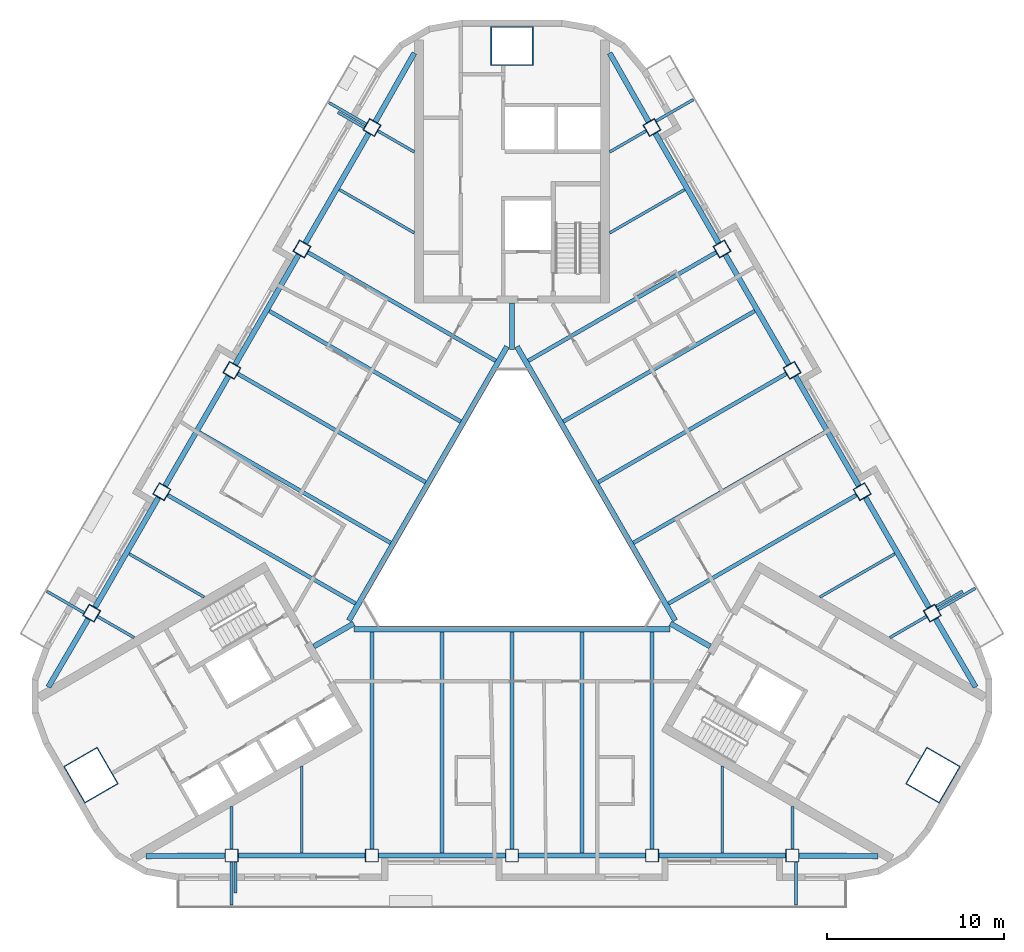
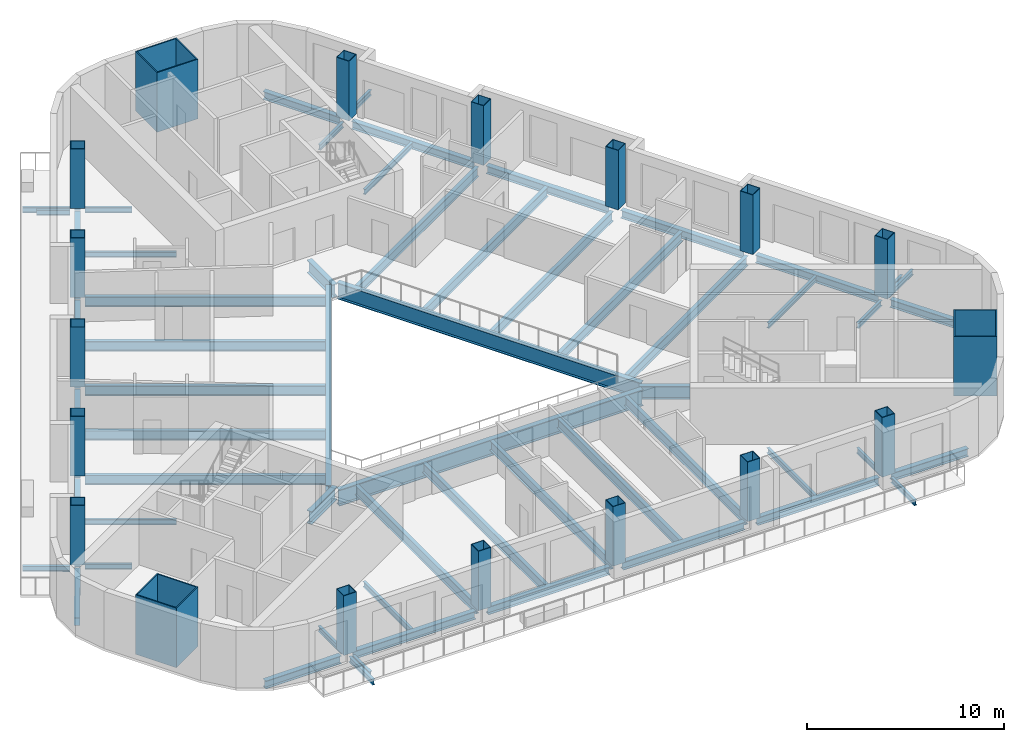
# One storey, part 1 of 13: 60 beams, 18 columns.
"""IFC4 building model written with IfcOpenShell, lengths in metres."""

import ifcopenshell
import ifcopenshell.guid

model = None  # the IFC model being written
_history = None  # IfcOwnerHistory: only IFC2X3 demands one
_inside = {}  # id of a spatial element -> (the spatial element, [elements in it])
_under = {}  # id of a project, library or spatial element -> (it, [spatial elements below it])
_declared = {}  # id of a project -> (the project, [libraries it declares])
_typed = {}  # id of a type object -> (the type object, [elements of that type])
_made_of = {}  # id of a material, layer set ... -> (it, [elements and type objects made of it])


def new_model(schema):
    """Start an empty IFC model of exactly this schema.

    Asked for "IFC4X3", IfcOpenShell would pick the latest addendum, in which some entities
    have other attributes; the version numbers below select the first issue.
    IFC2X3 requires an IfcOwnerHistory on every rooted entity: one is made here for all.
    """
    global model, _history
    if schema == "IFC4X3":
        model = ifcopenshell.file(schema_version=(4, 3, 0, 0))
    else:
        model = ifcopenshell.file(schema=schema)
    _inside.clear()
    _under.clear()
    _declared.clear()
    _typed.clear()
    _made_of.clear()
    _history = None
    if model.schema == "IFC2X3":
        org = make("IfcOrganization", Name="unknown")
        user = make(
            "IfcPersonAndOrganization",
            ThePerson=make("IfcPerson", FamilyName="unknown"),
            TheOrganization=org,
        )
        app = make(
            "IfcApplication",
            ApplicationDeveloper=org,
            Version="unknown",
            ApplicationFullName="unknown",
            ApplicationIdentifier="unknown",
        )
        _history = make(
            "IfcOwnerHistory",
            OwningUser=user,
            OwningApplication=app,
            ChangeAction="ADDED",
            CreationDate=0,
        )
    return model


def make(cls, **values):
    """One entity of the class cls with the attributes given. An attribute that is None is left unset."""
    return model.create_entity(
        cls, **{name: value for name, value in values.items() if value is not None}
    )


def rooted(cls, **values):
    """An entity with a GlobalId (a new one), such as an element, a storey or a relation."""
    return make(cls, GlobalId=ifcopenshell.guid.new(), OwnerHistory=_history, **values)


def si_unit(unit_type, name, prefix=None):
    """IfcSIUnit, for example si_unit("LENGTHUNIT", "METRE", prefix="MILLI")."""
    return make("IfcSIUnit", UnitType=unit_type, Prefix=prefix, Name=name)


def assignment(units):
    """IfcUnitAssignment: the units of a project."""
    return None if units is None else make("IfcUnitAssignment", Units=units)


def point(xyz):
    """IfcCartesianPoint."""
    return None if xyz is None else make("IfcCartesianPoint", Coordinates=xyz)


def direction(xyz):
    """IfcDirection."""
    return None if xyz is None else make("IfcDirection", DirectionRatios=xyz)


def frame(location, z_axis=None, x_axis=None):
    """IfcAxis2Placement3D, a coordinate frame: its origin and axes. An axis left out is left unset."""
    return make(
        "IfcAxis2Placement3D",
        Location=point(location),
        Axis=direction(z_axis),
        RefDirection=direction(x_axis),
    )


def frame_2d(location, x_axis=None):
    """IfcAxis2Placement2D, a coordinate frame in the plane: its origin and x axis."""
    return make(
        "IfcAxis2Placement2D", Location=point(location), RefDirection=direction(x_axis)
    )


def origin():
    """The frame at (0, 0, 0) with its axes left unset."""
    return frame((0.0, 0.0, 0.0))


def origin_2d():
    """The frame at (0, 0) in the plane with its x axis left unset."""
    return frame_2d((0.0, 0.0))


def place(relative_to, where):
    """IfcLocalPlacement: puts the frame where relative to a parent placement (None: the world)."""
    return make(
        "IfcLocalPlacement", PlacementRelTo=relative_to, RelativePlacement=where
    )


def context(
    kind, dimensions, precision=None, world=None, true_north=None, identifier=None
):
    """IfcGeometricRepresentationContext, for example the 3D "Model" context."""
    return make(
        "IfcGeometricRepresentationContext",
        ContextIdentifier=identifier,
        ContextType=kind,
        CoordinateSpaceDimension=dimensions,
        Precision=precision,
        WorldCoordinateSystem=world,
        TrueNorth=true_north,
    )


def subcontext(parent, identifier, kind, view, scale=None):
    """IfcGeometricRepresentationSubContext, for example "Body" below "Model"."""
    return make(
        "IfcGeometricRepresentationSubContext",
        ContextIdentifier=identifier,
        ContextType=kind,
        ParentContext=parent,
        TargetScale=scale,
        TargetView=view,
    )


def project(units=None, contexts=None):
    """IfcProject with its units and contexts."""
    return rooted(
        "IfcProject",
        Name="project",
        RepresentationContexts=contexts,
        UnitsInContext=assignment(units),
    )


def spatial(cls, under=None, at=None, **own):
    """A site, building, storey or space (cls), placed at a placement, below another one or the project."""
    s = rooted(cls, ObjectPlacement=at, **own)
    if under is not None:
        _under.setdefault(under.id(), (under, []))[1].append(s)
    return s


def profile(cls, at=None, kind="AREA", **sizes):
    """A parametric profile (cls). Its sizes go by their IFC names, for example OverallWidth=200.0."""
    return make(cls, ProfileType=kind, Position=at, **sizes)


def rectangle(**sizes):
    """IfcRectangleProfileDef."""
    return profile("IfcRectangleProfileDef", **sizes)


def hollow_rectangle(**sizes):
    """IfcRectangleHollowProfileDef."""
    return profile("IfcRectangleHollowProfileDef", **sizes)


def i_section(**sizes):
    """IfcIShapeProfileDef."""
    return profile("IfcIShapeProfileDef", **sizes)


def extrude(swept, where, along, depth):
    """IfcExtrudedAreaSolid: the profile swept, set in the frame where, extruded along a direction by depth."""
    return make(
        "IfcExtrudedAreaSolid",
        SweptArea=swept,
        Position=where,
        ExtrudedDirection=direction(along),
        Depth=depth,
    )


def shape(context_of_items, identifier, shape_type, items):
    """IfcShapeRepresentation: the items that make up one representation, for example the "Body"."""
    return make(
        "IfcShapeRepresentation",
        ContextOfItems=context_of_items,
        RepresentationIdentifier=identifier,
        RepresentationType=shape_type,
        Items=items,
    )


def material(Name=None, Category=None):
    """IfcMaterial."""
    return make("IfcMaterial", Name=Name, Category=Category)


def material_profile(
    of_material, cross_section, Name=None, Category=None, Priority=None
):
    """IfcMaterialProfile: a cross section and its material."""
    return make(
        "IfcMaterialProfile",
        Name=Name,
        Material=of_material,
        Profile=cross_section,
        Priority=Priority,
        Category=Category,
    )


def profile_set(profiles, Name=None, composite=None):
    """IfcMaterialProfileSet."""
    return make(
        "IfcMaterialProfileSet",
        Name=Name,
        MaterialProfiles=profiles,
        CompositeProfile=composite,
    )


def made_of(thing, what):
    """Note that an element or type object is made of a material, layer set ...; save() writes the relation."""
    if what is not None:
        _made_of.setdefault(what.id(), (what, []))[1].append(thing)
    return thing


def type_object(cls, material=None, **own):
    """A type object (cls), such as IfcWallType, which elements share."""
    return made_of(rooted(cls, **own), material)


def element(
    cls,
    number,
    at=None,
    inside=None,
    cuts=None,
    type_object=None,
    material=None,
    context=None,
    identifier="Body",
    shape_type=None,
    held_by="IfcProductDefinitionShape",
    body=None,
    shapes=None,
    **own,
):
    """One element of the class cls, such as IfcWall. Its Tag is "e" and its number.

    at: its placement. inside: the storey or other place that contains it. cuts: it is an
    opening in that element (IfcRelVoidsElement). A single representation is given by context,
    identifier, shape_type and body (its items); several are given by shapes. held_by: the class
    of the entity that holds the representations. save() writes the other relations.
    """
    e = rooted(cls, Tag="e%d" % number, ObjectPlacement=at, **own)
    if body is not None:
        shapes = [shape(context, identifier, shape_type, body)]
    if shapes is not None:
        e.Representation = make(held_by, Representations=shapes)
    if inside is not None:
        _inside.setdefault(inside.id(), (inside, []))[1].append(e)
    if cuts is not None:
        rooted(
            "IfcRelVoidsElement", RelatingBuildingElement=cuts, RelatedOpeningElement=e
        )
    if type_object is not None:
        _typed.setdefault(type_object.id(), (type_object, []))[1].append(e)
    return made_of(e, material)


def aggregate(whole, parts):
    """IfcRelAggregates: a whole, such as a stair, and the parts it consists of."""
    return rooted("IfcRelAggregates", RelatingObject=whole, RelatedObjects=parts)


def save(model, path):
    """Write the relations noted so far, then the file.

    IfcRelAggregates (storeys below a building ...), IfcRelContainedInSpatialStructure (elements
    in a storey), IfcRelDefinesByType, IfcRelAssociatesMaterial and IfcRelDeclares: one each for
    every whole, place, type object, material and project.
    """
    for whole, parts in _under.values():
        aggregate(whole, parts)
    for where, things in _inside.values():
        rooted(
            "IfcRelContainedInSpatialStructure",
            RelatedElements=things,
            RelatingStructure=where,
        )
    for kind, things in _typed.values():
        rooted("IfcRelDefinesByType", RelatedObjects=things, RelatingType=kind)
    for what, things in _made_of.values():
        rooted("IfcRelAssociatesMaterial", RelatedObjects=things, RelatingMaterial=what)
    for by, libraries in _declared.values():
        rooted("IfcRelDeclares", RelatingContext=by, RelatedDefinitions=libraries)
    model.write(path)


model = new_model("IFC4")

# Units and contexts
model_context = context("Model", 3, precision=1e-05, world=origin(), true_north=direction((0.0, 1.0)))
body_context = subcontext(model_context, "Body", "Model", "MODEL_VIEW")
ifc_project = project(units=[si_unit("LENGTHUNIT", "METRE"), si_unit("AREAUNIT", "SQUARE_METRE"), si_unit("VOLUMEUNIT", "CUBIC_METRE"), si_unit("PLANEANGLEUNIT", "RADIAN"), si_unit("MASSUNIT", "GRAM", prefix="KILO")], contexts=[model_context])

# Site, building, storey
site_placement = place(None, origin())
site = spatial("IfcSite", under=ifc_project, at=site_placement, CompositionType="ELEMENT")
building_placement = place(site_placement, origin())
building = spatial("IfcBuilding", under=site, at=building_placement, Name="Apuvela Tower Hotel", CompositionType="ELEMENT")
storey_placement = place(building_placement, frame((0.0, 0.0, 198.39990234375)))
storey = spatial("IfcBuildingStorey", under=building, at=storey_placement, Name="L48", CompositionType="ELEMENT", Elevation=198.39990234375)

# Columns
ifc_material_1 = material(Name="Steel S460", Category="steel")
ifc_material_profile_1 = material_profile(ifc_material_1, hollow_rectangle(XDim=2.39990234375, YDim=2.199951171875, WallThickness=0.06005859375, at=origin_2d()), Name="BOX 2400x2200x60")
ifc_material_2 = material(Name="Concrete C80/95", Category="concrete")
ifc_material_profile_2 = material_profile(ifc_material_2, rectangle(XDim=2.280029296875, YDim=2.080078125, at=origin_2d()), Name="Concrete C80/95 infill")
ifc_profile_set_1 = profile_set([ifc_material_profile_1, ifc_material_profile_2], Name="Steel S460")
column_type_1 = type_object("IfcColumnType", Name="STR-MC mega column BOX 2400x2200x60", PredefinedType="COLUMN", material=ifc_profile_set_1)
for number, where, z_axis, x_axis, name in (
    (1, (0.0, 27.39990234375, 0.0), (0.0, 0.0, 1.0), (1.0, 0.0, 0.0), "Mega column MC3 N"),
    (2, (-23.72900390625, -13.699951171875, 0.0), (0.0, 0.0, 1.0), (-0.5, 0.866025403784, 0.0), "Mega column MC3 SW"),
    (3, (23.72900390625, -13.699951171875, 0.0), (0.0, 0.0, 1.0), (0.5, 0.866025403784, 0.0), "Mega column MC3 SE"),
):
    element("IfcColumn", number, at=place(storey_placement, frame(where, z_axis=z_axis, x_axis=x_axis)), inside=storey, type_object=column_type_1, Name=name, PredefinedType="COLUMN", context=body_context, shape_type="SweptSolid", body=[
        extrude(hollow_rectangle(XDim=2.39990234375, YDim=2.199951171875, WallThickness=0.06005859375, at=origin_2d()), origin(), (0.0, 0.0, 1.0), 3.7001953125),
    ])
ifc_material_profile_3 = material_profile(ifc_material_1, hollow_rectangle(XDim=0.75, YDim=0.75, WallThickness=0.034912109375, at=origin_2d()), Name="BOX 750x750x35")
ifc_material_profile_4 = material_profile(ifc_material_2, rectangle(XDim=0.679931640625, YDim=0.679931640625, at=origin_2d()), Name="Concrete C80/95 infill")
ifc_profile_set_2 = profile_set([ifc_material_profile_3, ifc_material_profile_4], Name="Steel S460")
column_type_2 = type_object("IfcColumnType", Name="STR-PC perimeter column BOX 750x750x35", PredefinedType="COLUMN", material=ifc_profile_set_2)
for number, where, z_axis, x_axis, name in (
    (4, (-15.800048828125, -18.22998046875, 0.0), (0.0, 0.0, 1.0), (-1.0, 0.0, 0.0), "Perimeter column C5 S1"),
    (5, (-7.89990234375, -18.22998046875, 0.0), (0.0, 0.0, 1.0), (-1.0, 0.0, 0.0), "Perimeter column C5 S2"),
    (6, (0.0, -18.22998046875, 0.0), (0.0, 0.0, 1.0), (-1.0, 0.0, 0.0), "Perimeter column C5 S3"),
    (7, (7.89990234375, -18.22998046875, 0.0), (0.0, 0.0, 1.0), (-1.0, 0.0, 0.0), "Perimeter column C5 S4"),
    (8, (15.800048828125, -18.22998046875, 0.0), (0.0, 0.0, 1.0), (-1.0, 0.0, 0.0), "Perimeter column C5 S5"),
    (9, (23.6875, -4.568115234375, 0.0), (0.0, 0.0, 1.0), (-0.5, 0.866025403784, 0.0), "Perimeter column C5 NE1"),
    (10, (19.737548828125, 2.2734375, 0.0), (0.0, 0.0, 1.0), (-0.5, 0.866025403784, 0.0), "Perimeter column C5 NE2"),
    (11, (15.78759765625, 9.114990234375, 0.0), (0.0, 0.0, 1.0), (-0.5, 0.866025403784, 0.0), "Perimeter column C5 NE3"),
    (12, (11.837646484375, 15.95654296875, 0.0), (0.0, 0.0, 1.0), (-0.5, 0.866025403784, 0.0), "Perimeter column C5 NE4"),
    (13, (7.8876953125, 22.798095703125, 0.0), (0.0, 0.0, 1.0), (-0.5, 0.866025403784, 0.0), "Perimeter column C5 NE5"),
    (14, (-7.8876953125, 22.798095703125, 0.0), (0.0, 0.0, 1.0), (0.5, 0.866025403784, 0.0), "Perimeter column C5 NW1"),
    (15, (-11.837646484375, 15.95654296875, 0.0), (0.0, 0.0, 1.0), (0.5, 0.866025403784, 0.0), "Perimeter column C5 NW2"),
    (16, (-15.78759765625, 9.114990234375, 0.0), (0.0, 0.0, 1.0), (0.5, 0.866025403784, 0.0), "Perimeter column C5 NW3"),
    (17, (-19.737548828125, 2.2734375, 0.0), (0.0, 0.0, 1.0), (0.5, 0.866025403784, 0.0), "Perimeter column C5 NW4"),
    (18, (-23.6875, -4.568115234375, 0.0), (0.0, 0.0, 1.0), (0.5, 0.866025403784, 0.0), "Perimeter column C5 NW5"),
):
    element("IfcColumn", number, at=place(storey_placement, frame(where, z_axis=z_axis, x_axis=x_axis)), inside=storey, type_object=column_type_2, Name=name, PredefinedType="COLUMN", context=body_context, shape_type="SweptSolid", body=[
        extrude(hollow_rectangle(XDim=0.75, YDim=0.75, WallThickness=0.034912109375, at=origin_2d()), origin(), (0.0, 0.0, 1.0), 3.7001953125),
    ])

# Beams
ifc_material_3 = material(Name="Steel S355", Category="steel")
ifc_material_profile_5 = material_profile(ifc_material_3, i_section(OverallWidth=0.159912109375, OverallDepth=0.330078125, WebThickness=0.007568359375, FlangeThickness=0.011474609375, at=origin_2d()), Name="IPE 330")
ifc_profile_set_3 = profile_set([ifc_material_profile_5], Name="Steel S355")
beam_type_1 = type_object("IfcBeamType", Name="ENV-BALCONY-BEAM-IPE330", PredefinedType="BEAM", material=ifc_profile_set_3)
beam_1_placement = place(storey_placement, frame((-15.800048828125, -18.60498046875, -0.31494140625), z_axis=(0.0, -1.0, 0.0), x_axis=(1.0, 0.0, 0.0)))
element("IfcBeam", 19, at=beam_1_placement, inside=storey, type_object=beam_type_1, Name="Balcony cantilever beam S1 L48", PredefinedType="BEAM", context=body_context, shape_type="SweptSolid", body=[
    extrude(i_section(OverallWidth=0.159912109375, OverallDepth=0.330078125, WebThickness=0.007568359375, FlangeThickness=0.011474609375, at=origin_2d()), origin(), (0.0, 0.0, 1.0), 2.425048828125),
])
beam_2_placement = place(storey_placement, frame((-15.580078125, -18.60498046875, -0.31494140625), z_axis=(0.0, -1.0, 0.0), x_axis=(1.0, 0.0, 0.0)))
element("IfcBeam", 20, at=beam_2_placement, inside=storey, type_object=beam_type_1, Name="Balcony cantilever beam S2 L48", PredefinedType="BEAM", context=body_context, shape_type="SweptSolid", body=[
    extrude(i_section(OverallWidth=0.159912109375, OverallDepth=0.330078125, WebThickness=0.007568359375, FlangeThickness=0.011474609375, at=origin_2d()), origin(), (0.0, 0.0, 1.0), 1.72509765625),
])
for number, where, z_axis, x_axis, name in (
    (21, (16.0, -18.60498046875, -0.31494140625), (0.0, -1.0, 0.0), (1.0, 0.0, 0.0), "Balcony cantilever beam S3 L48"),
    (22, (24.012451171875, -4.380615234375, -0.31494140625), (0.866041403502, 0.499972286653, 0.0), (-0.499972286653, 0.866041403502, 0.0), "Balcony cantilever beam NE1 L48"),
):
    element("IfcBeam", number, at=place(storey_placement, frame(where, z_axis=z_axis, x_axis=x_axis)), inside=storey, type_object=beam_type_1, Name=name, PredefinedType="BEAM", context=body_context, shape_type="SweptSolid", body=[
        extrude(i_section(OverallWidth=0.159912109375, OverallDepth=0.330078125, WebThickness=0.007568359375, FlangeThickness=0.011474609375, at=origin_2d()), origin(), (0.0, 0.0, 1.0), 2.425048828125),
    ])
beam_3_placement = place(storey_placement, frame((23.90234375, -4.190185546875, -0.31494140625), z_axis=(0.866013532718, 0.500020560727, 0.0), x_axis=(-0.500020560727, 0.866013532718, 0.0)))
element("IfcBeam", 23, at=beam_3_placement, inside=storey, type_object=beam_type_1, Name="Balcony cantilever beam NE2 L48", PredefinedType="BEAM", context=body_context, shape_type="SweptSolid", body=[
    extrude(i_section(OverallWidth=0.159912109375, OverallDepth=0.330078125, WebThickness=0.007568359375, FlangeThickness=0.011474609375, at=origin_2d()), origin(), (0.0, 0.0, 1.0), 1.72509765625),
])
for number, where, z_axis, x_axis, name in (
    (24, (8.1123046875, 23.158935546875, -0.31494140625), (0.866041403502, 0.499972286653, 0.0), (-0.499972286653, 0.866041403502, 0.0), "Balcony cantilever beam NE3 L48"),
    (25, (-8.21240234375, 22.985595703125, -0.31494140625), (-0.865997808697, 0.500047793048, 0.0), (-0.500047793048, -0.865997808697, 0.0), "Balcony cantilever beam NW1 L48"),
):
    element("IfcBeam", number, at=place(storey_placement, frame(where, z_axis=z_axis, x_axis=x_axis)), inside=storey, type_object=beam_type_1, Name=name, PredefinedType="BEAM", context=body_context, shape_type="SweptSolid", body=[
        extrude(i_section(OverallWidth=0.159912109375, OverallDepth=0.330078125, WebThickness=0.007568359375, FlangeThickness=0.011474609375, at=origin_2d()), origin(), (0.0, 0.0, 1.0), 2.425048828125),
    ])
beam_4_placement = place(storey_placement, frame((-8.322509765625, 22.795166015625, -0.31494140625), z_axis=(-0.866013532718, 0.500020560727, 0.0), x_axis=(-0.500020560727, -0.866013532718, 0.0)))
element("IfcBeam", 26, at=beam_4_placement, inside=storey, type_object=beam_type_1, Name="Balcony cantilever beam NW2 L48", PredefinedType="BEAM", context=body_context, shape_type="SweptSolid", body=[
    extrude(i_section(OverallWidth=0.159912109375, OverallDepth=0.330078125, WebThickness=0.007568359375, FlangeThickness=0.011474609375, at=origin_2d()), origin(), (0.0, 0.0, 1.0), 1.72509765625),
])
beam_5_placement = place(storey_placement, frame((-24.1123046875, -4.553955078125, -0.31494140625), z_axis=(-0.865997808697, 0.500047793048, 0.0), x_axis=(-0.500047793048, -0.865997808697, 0.0)))
element("IfcBeam", 27, at=beam_5_placement, inside=storey, type_object=beam_type_1, Name="Balcony cantilever beam NW3 L48", PredefinedType="BEAM", context=body_context, shape_type="SweptSolid", body=[
    extrude(i_section(OverallWidth=0.159912109375, OverallDepth=0.330078125, WebThickness=0.007568359375, FlangeThickness=0.011474609375, at=origin_2d()), origin(), (0.0, 0.0, 1.0), 2.425048828125),
])
ifc_material_profile_6 = material_profile(ifc_material_3, i_section(OverallWidth=0.159912109375, OverallDepth=0.330078125, WebThickness=0.007568359375, FlangeThickness=0.011474609375, at=origin_2d()), Name="IPE 330")
ifc_profile_set_4 = profile_set([ifc_material_profile_6], Name="Steel S355")
beam_type_2 = type_object("IfcBeamType", Name="STR-B floor beam IPE 330", PredefinedType="BEAM", material=ifc_profile_set_4)
beam_6_placement = place(storey_placement, frame((23.36279296875, -4.755615234375, -0.31494140625), z_axis=(-0.865982457891, -0.500074377092, 0.0), x_axis=(0.500074377092, -0.865982457891, 0.0)))
element("IfcBeam", 28, at=beam_6_placement, inside=storey, type_object=beam_type_2, Name="Floor beam B1 NE1", PredefinedType="BEAM", context=body_context, shape_type="SweptSolid", body=[
    extrude(i_section(OverallWidth=0.159912109375, OverallDepth=0.330078125, WebThickness=0.007568359375, FlangeThickness=0.011474609375, at=origin_2d()), origin(), (0.0, 0.0, 1.0), 2.382080078125),
])
for number, where, z_axis, x_axis, name in (
    (29, (21.582763671875, -1.222412109375, -0.31494140625), (-0.866015056278, -0.500017921979, 0.0), (0.500017921979, -0.866015056278, 0.0), "Floor beam B1 NE2"),
    (30, (9.732666015625, 19.302490234375, -0.31494140625), (-0.866015056278, -0.500017921979, 0.0), (0.500017921979, -0.866015056278, 0.0), "Floor beam B1 NE8"),
):
    element("IfcBeam", number, at=place(storey_placement, frame(where, z_axis=z_axis, x_axis=x_axis)), inside=storey, type_object=beam_type_2, Name=name, PredefinedType="BEAM", context=body_context, shape_type="SweptSolid", body=[
        extrude(i_section(OverallWidth=0.159912109375, OverallDepth=0.330078125, WebThickness=0.007568359375, FlangeThickness=0.011474609375, at=origin_2d()), origin(), (0.0, 0.0, 1.0), 4.887451171875),
    ])
for number, where, z_axis, x_axis, name in (
    (31, (7.56298828125, 22.610595703125, -0.31494140625), (-0.866052464367, -0.499953126767, 0.0), (0.499953126767, -0.866052464367, 0.0), "Floor beam B1 NE9"),
    (32, (-7.56298828125, 22.610595703125, -0.31494140625), (0.866052464367, -0.499953126767, 0.0), (0.499953126767, 0.866052464367, 0.0), "Floor beam B1 NW1"),
):
    element("IfcBeam", number, at=place(storey_placement, frame(where, z_axis=z_axis, x_axis=x_axis)), inside=storey, type_object=beam_type_2, Name=name, PredefinedType="BEAM", context=body_context, shape_type="SweptSolid", body=[
        extrude(i_section(OverallWidth=0.159912109375, OverallDepth=0.330078125, WebThickness=0.007568359375, FlangeThickness=0.011474609375, at=origin_2d()), origin(), (0.0, 0.0, 1.0), 2.382080078125),
    ])
for number, where, z_axis, x_axis, name in (
    (33, (-9.732666015625, 19.302490234375, -0.31494140625), (0.866015056278, -0.500017921979, 0.0), (0.500017921979, 0.866015056278, 0.0), "Floor beam B1 NW2"),
    (34, (-21.582763671875, -1.222412109375, -0.31494140625), (0.866015056278, -0.500017921979, 0.0), (0.500017921979, 0.866015056278, 0.0), "Floor beam B1 NW8"),
):
    element("IfcBeam", number, at=place(storey_placement, frame(where, z_axis=z_axis, x_axis=x_axis)), inside=storey, type_object=beam_type_2, Name=name, PredefinedType="BEAM", context=body_context, shape_type="SweptSolid", body=[
        extrude(i_section(OverallWidth=0.159912109375, OverallDepth=0.330078125, WebThickness=0.007568359375, FlangeThickness=0.011474609375, at=origin_2d()), origin(), (0.0, 0.0, 1.0), 4.887451171875),
    ])
for number, where, z_axis, x_axis, name in (
    (35, (-23.36279296875, -4.755615234375, -0.31494140625), (0.865982457891, -0.500074377092, 0.0), (0.500074377092, 0.865982457891, 0.0), "Floor beam B1 NW9"),
    (36, (-15.800048828125, -17.85498046875, -0.31494140625), (0.0, 1.0, 0.0), (-1.0, 0.0, 0.0), "Floor beam B1 S1"),
):
    element("IfcBeam", number, at=place(storey_placement, frame(where, z_axis=z_axis, x_axis=x_axis)), inside=storey, type_object=beam_type_2, Name=name, PredefinedType="BEAM", context=body_context, shape_type="SweptSolid", body=[
        extrude(i_section(OverallWidth=0.159912109375, OverallDepth=0.330078125, WebThickness=0.007568359375, FlangeThickness=0.011474609375, at=origin_2d()), origin(), (0.0, 0.0, 1.0), 2.382080078125),
    ])
for number, where, z_axis, x_axis, name in (
    (37, (-11.85009765625, -18.080078125, -0.31494140625), (0.0, 1.0, 0.0), (-1.0, 0.0, 0.0), "Floor beam B1 S2"),
    (38, (11.85009765625, -18.080078125, -0.31494140625), (0.0, 1.0, 0.0), (-1.0, 0.0, 0.0), "Floor beam B1 S8"),
):
    element("IfcBeam", number, at=place(storey_placement, frame(where, z_axis=z_axis, x_axis=x_axis)), inside=storey, type_object=beam_type_2, Name=name, PredefinedType="BEAM", context=body_context, shape_type="SweptSolid", body=[
        extrude(i_section(OverallWidth=0.159912109375, OverallDepth=0.330078125, WebThickness=0.007568359375, FlangeThickness=0.011474609375, at=origin_2d()), origin(), (0.0, 0.0, 1.0), 4.8876953125),
    ])
beam_7_placement = place(storey_placement, frame((15.800048828125, -17.85498046875, -0.31494140625), z_axis=(0.0, 1.0, 0.0), x_axis=(-1.0, 0.0, 0.0)))
element("IfcBeam", 39, at=beam_7_placement, inside=storey, type_object=beam_type_2, Name="Floor beam B1 S9", PredefinedType="BEAM", context=body_context, shape_type="SweptSolid", body=[
    extrude(i_section(OverallWidth=0.159912109375, OverallDepth=0.330078125, WebThickness=0.007568359375, FlangeThickness=0.011474609375, at=origin_2d()), origin(), (0.0, 0.0, 1.0), 2.382080078125),
])
ifc_material_profile_7 = material_profile(ifc_material_3, i_section(OverallWidth=0.219970703125, OverallDepth=0.60009765625, WebThickness=0.011962890625, FlangeThickness=0.01904296875, at=origin_2d()), Name="IPE 600")
ifc_profile_set_5 = profile_set([ifc_material_profile_7], Name="Steel S355")
beam_type_3 = type_object("IfcBeamType", Name="STR-B floor beam IPE 600", PredefinedType="BEAM", material=ifc_profile_set_5)
beam_8_placement = place(storey_placement, frame((19.412841796875, 2.0859375, -0.449951171875), z_axis=(-0.866025418325, -0.499999974815, 0.0), x_axis=(0.499999974815, -0.866025418325, 0.0)))
element("IfcBeam", 40, at=beam_8_placement, inside=storey, type_object=beam_type_3, Name="Floor beam B8 NE3", PredefinedType="BEAM", context=body_context, shape_type="SweptSolid", body=[
    extrude(i_section(OverallWidth=0.219970703125, OverallDepth=0.60009765625, WebThickness=0.011962890625, FlangeThickness=0.01904296875, at=origin_2d()), origin(), (0.0, 0.0, 1.0), 12.23486328125),
])
beam_9_placement = place(storey_placement, frame((17.6328125, 5.619140625, -0.449951171875), z_axis=(-0.866027987673, -0.499995524547, 0.0), x_axis=(0.499995524547, -0.866027987673, 0.0)))
element("IfcBeam", 41, at=beam_9_placement, inside=storey, type_object=beam_type_3, Name="Floor beam B8 NE4", PredefinedType="BEAM", context=body_context, shape_type="SweptSolid", body=[
    extrude(i_section(OverallWidth=0.219970703125, OverallDepth=0.60009765625, WebThickness=0.011962890625, FlangeThickness=0.01904296875, at=origin_2d()), origin(), (0.0, 0.0, 1.0), 12.4599609375),
])
beam_10_placement = place(storey_placement, frame((15.462890625, 8.927490234375, -0.449951171875), z_axis=(-0.866025418325, -0.499999974815, 0.0), x_axis=(0.499999974815, -0.866025418325, 0.0)))
element("IfcBeam", 42, at=beam_10_placement, inside=storey, type_object=beam_type_3, Name="Floor beam B8 NE5", PredefinedType="BEAM", context=body_context, shape_type="SweptSolid", body=[
    extrude(i_section(OverallWidth=0.219970703125, OverallDepth=0.60009765625, WebThickness=0.011962890625, FlangeThickness=0.01904296875, at=origin_2d()), origin(), (0.0, 0.0, 1.0), 12.23486328125),
])
beam_11_placement = place(storey_placement, frame((13.6826171875, 12.460693359375, -0.449951171875), z_axis=(-0.866023089177, -0.500004008996, 0.0), x_axis=(0.500004008996, -0.866023089177, 0.0)))
element("IfcBeam", 43, at=beam_11_placement, inside=storey, type_object=beam_type_3, Name="Floor beam B8 NE6", PredefinedType="BEAM", context=body_context, shape_type="SweptSolid", body=[
    extrude(i_section(OverallWidth=0.219970703125, OverallDepth=0.60009765625, WebThickness=0.011962890625, FlangeThickness=0.01904296875, at=origin_2d()), origin(), (0.0, 0.0, 1.0), 12.4599609375),
])
for number, where, z_axis, x_axis, name in (
    (44, (11.512939453125, 15.76904296875, -0.449951171875), (-0.866030406821, -0.499991334387, 0.0), (0.499991334387, -0.866030406821, 0.0), "Floor beam B8 NE7"),
    (45, (-11.512939453125, 15.76904296875, -0.449951171875), (0.866030406821, -0.499991334387, 0.0), (0.499991334387, 0.866030406821, 0.0), "Floor beam B8 NW3"),
):
    element("IfcBeam", number, at=place(storey_placement, frame(where, z_axis=z_axis, x_axis=x_axis)), inside=storey, type_object=beam_type_3, Name=name, PredefinedType="BEAM", context=body_context, shape_type="SweptSolid", body=[
        extrude(i_section(OverallWidth=0.219970703125, OverallDepth=0.60009765625, WebThickness=0.011962890625, FlangeThickness=0.01904296875, at=origin_2d()), origin(), (0.0, 0.0, 1.0), 12.235107421875),
    ])
beam_12_placement = place(storey_placement, frame((-13.6826171875, 12.460693359375, -0.449951171875), z_axis=(0.866023089177, -0.500004008996, 0.0), x_axis=(0.500004008996, 0.866023089177, 0.0)))
element("IfcBeam", 46, at=beam_12_placement, inside=storey, type_object=beam_type_3, Name="Floor beam B8 NW4", PredefinedType="BEAM", context=body_context, shape_type="SweptSolid", body=[
    extrude(i_section(OverallWidth=0.219970703125, OverallDepth=0.60009765625, WebThickness=0.011962890625, FlangeThickness=0.01904296875, at=origin_2d()), origin(), (0.0, 0.0, 1.0), 12.4599609375),
])
beam_13_placement = place(storey_placement, frame((-15.462890625, 8.927490234375, -0.449951171875), z_axis=(0.866025418325, -0.499999974815, 0.0), x_axis=(0.499999974815, 0.866025418325, 0.0)))
element("IfcBeam", 47, at=beam_13_placement, inside=storey, type_object=beam_type_3, Name="Floor beam B8 NW5", PredefinedType="BEAM", context=body_context, shape_type="SweptSolid", body=[
    extrude(i_section(OverallWidth=0.219970703125, OverallDepth=0.60009765625, WebThickness=0.011962890625, FlangeThickness=0.01904296875, at=origin_2d()), origin(), (0.0, 0.0, 1.0), 12.23486328125),
])
beam_14_placement = place(storey_placement, frame((-17.6328125, 5.619140625, -0.449951171875), z_axis=(0.866027987673, -0.499995524547, 0.0), x_axis=(0.499995524547, 0.866027987673, 0.0)))
element("IfcBeam", 48, at=beam_14_placement, inside=storey, type_object=beam_type_3, Name="Floor beam B8 NW6", PredefinedType="BEAM", context=body_context, shape_type="SweptSolid", body=[
    extrude(i_section(OverallWidth=0.219970703125, OverallDepth=0.60009765625, WebThickness=0.011962890625, FlangeThickness=0.01904296875, at=origin_2d()), origin(), (0.0, 0.0, 1.0), 12.4599609375),
])
for number, where, z_axis, x_axis, name in (
    (49, (-19.412841796875, 2.0859375, -0.449951171875), (0.866025418325, -0.499999974815, 0.0), (0.499999974815, 0.866025418325, 0.0), "Floor beam B8 NW7"),
    (50, (-7.89990234375, -17.85498046875, -0.449951171875), (0.0, 1.0, 0.0), (-1.0, 0.0, 0.0), "Floor beam B8 S3"),
):
    element("IfcBeam", number, at=place(storey_placement, frame(where, z_axis=z_axis, x_axis=x_axis)), inside=storey, type_object=beam_type_3, Name=name, PredefinedType="BEAM", context=body_context, shape_type="SweptSolid", body=[
        extrude(i_section(OverallWidth=0.219970703125, OverallDepth=0.60009765625, WebThickness=0.011962890625, FlangeThickness=0.01904296875, at=origin_2d()), origin(), (0.0, 0.0, 1.0), 12.23486328125),
    ])
beam_15_placement = place(storey_placement, frame((-3.949951171875, -18.080078125, -0.449951171875), z_axis=(0.0, 1.0, 0.0), x_axis=(-1.0, 0.0, 0.0)))
element("IfcBeam", 51, at=beam_15_placement, inside=storey, type_object=beam_type_3, Name="Floor beam B8 S4", PredefinedType="BEAM", context=body_context, shape_type="SweptSolid", body=[
    extrude(i_section(OverallWidth=0.219970703125, OverallDepth=0.60009765625, WebThickness=0.011962890625, FlangeThickness=0.01904296875, at=origin_2d()), origin(), (0.0, 0.0, 1.0), 12.4599609375),
])
beam_16_placement = place(storey_placement, frame((0.0, -17.85498046875, -0.449951171875), z_axis=(0.0, 1.0, 0.0), x_axis=(-1.0, 0.0, 0.0)))
element("IfcBeam", 52, at=beam_16_placement, inside=storey, type_object=beam_type_3, Name="Floor beam B8 S5", PredefinedType="BEAM", context=body_context, shape_type="SweptSolid", body=[
    extrude(i_section(OverallWidth=0.219970703125, OverallDepth=0.60009765625, WebThickness=0.011962890625, FlangeThickness=0.01904296875, at=origin_2d()), origin(), (0.0, 0.0, 1.0), 12.23486328125),
])
beam_17_placement = place(storey_placement, frame((3.949951171875, -18.080078125, -0.449951171875), z_axis=(0.0, 1.0, 0.0), x_axis=(-1.0, 0.0, 0.0)))
element("IfcBeam", 53, at=beam_17_placement, inside=storey, type_object=beam_type_3, Name="Floor beam B8 S6", PredefinedType="BEAM", context=body_context, shape_type="SweptSolid", body=[
    extrude(i_section(OverallWidth=0.219970703125, OverallDepth=0.60009765625, WebThickness=0.011962890625, FlangeThickness=0.01904296875, at=origin_2d()), origin(), (0.0, 0.0, 1.0), 12.4599609375),
])
beam_18_placement = place(storey_placement, frame((7.89990234375, -17.85498046875, -0.449951171875), z_axis=(0.0, 1.0, 0.0), x_axis=(-1.0, 0.0, 0.0)))
element("IfcBeam", 54, at=beam_18_placement, inside=storey, type_object=beam_type_3, Name="Floor beam B8 S7", PredefinedType="BEAM", context=body_context, shape_type="SweptSolid", body=[
    extrude(i_section(OverallWidth=0.219970703125, OverallDepth=0.60009765625, WebThickness=0.011962890625, FlangeThickness=0.01904296875, at=origin_2d()), origin(), (0.0, 0.0, 1.0), 12.23486328125),
])
ifc_material_profile_8 = material_profile(ifc_material_3, i_section(OverallWidth=0.300048828125, OverallDepth=1.0, WebThickness=0.01904296875, FlangeThickness=0.035888671875, at=origin_2d()), Name="HE 1000 B")
ifc_profile_set_6 = profile_set([ifc_material_profile_8], Name="Steel S355")
beam_type_4 = type_object("IfcBeamType", Name="STR-G atrium ring girder HE 1000 B", PredefinedType="BEAM", material=ifc_profile_set_6)
beam_19_placement = place(storey_placement, frame((-0.27978515625, 10.455078125, -0.64990234375), z_axis=(-0.500006541319, -0.866021627119, 0.0), x_axis=(0.866021627119, -0.500006541319, 0.0)))
element("IfcBeam", 55, at=beam_19_placement, inside=storey, type_object=beam_type_4, Name="Atrium ring girder G2 N-SW", PredefinedType="BEAM", context=body_context, shape_type="SweptSolid", body=[
    extrude(i_section(OverallWidth=0.300048828125, OverallDepth=1.0, WebThickness=0.01904296875, FlangeThickness=0.035888671875, at=origin_2d()), origin(), (0.0, 0.0, 1.0), 17.828857421875),
])
beam_20_placement = place(storey_placement, frame((-8.91455078125, -5.469970703125, -0.64990234375), z_axis=(1.0, 0.0, 0.0), x_axis=(0.0, 1.0, 0.0)))
element("IfcBeam", 56, at=beam_20_placement, inside=storey, type_object=beam_type_4, Name="Atrium ring girder G2 SW-SE", PredefinedType="BEAM", context=body_context, shape_type="SweptSolid", body=[
    extrude(i_section(OverallWidth=0.300048828125, OverallDepth=1.0, WebThickness=0.01904296875, FlangeThickness=0.035888671875, at=origin_2d()), origin(), (0.0, 0.0, 1.0), 17.8291015625),
])
beam_21_placement = place(storey_placement, frame((9.1943359375, -4.985107421875, -0.64990234375), z_axis=(-0.500006541319, 0.866021627119, 0.0), x_axis=(-0.866021627119, -0.500006541319, 0.0)))
element("IfcBeam", 57, at=beam_21_placement, inside=storey, type_object=beam_type_4, Name="Atrium ring girder G2 SE-N", PredefinedType="BEAM", context=body_context, shape_type="SweptSolid", body=[
    extrude(i_section(OverallWidth=0.300048828125, OverallDepth=1.0, WebThickness=0.01904296875, FlangeThickness=0.035888671875, at=origin_2d()), origin(), (0.0, 0.0, 1.0), 17.828857421875),
])
ifc_material_profile_9 = material_profile(ifc_material_3, i_section(OverallWidth=0.300048828125, OverallDepth=0.800048828125, WebThickness=0.017578125, FlangeThickness=0.032958984375, at=origin_2d()), Name="HE 800 B")
ifc_profile_set_7 = profile_set([ifc_material_profile_9], Name="Steel S355")
beam_type_5 = type_object("IfcBeamType", Name="STR-GT core tie beam HE 800 B", PredefinedType="BEAM", material=ifc_profile_set_7)
for number, where, z_axis, x_axis, name in (
    (58, (0.0, 12.89990234375, -0.5498046875), (0.0, -1.0, 0.0), (1.0, 0.0, 0.0), "Core tie beam GT1 N"),
    (59, (-11.171630859375, -6.449951171875, -0.5498046875), (0.865997922154, 0.500047596559, 0.0), (-0.500047596559, 0.865997922154, 0.0), "Core tie beam GT1 SW"),
    (60, (11.171630859375, -6.449951171875, -0.5498046875), (-0.865997922154, 0.500047596559, 0.0), (-0.500047596559, -0.865997922154, 0.0), "Core tie beam GT1 SE"),
):
    element("IfcBeam", number, at=place(storey_placement, frame(where, z_axis=z_axis, x_axis=x_axis)), inside=storey, type_object=beam_type_5, Name=name, PredefinedType="BEAM", context=body_context, shape_type="SweptSolid", body=[
        extrude(i_section(OverallWidth=0.300048828125, OverallDepth=0.800048828125, WebThickness=0.017578125, FlangeThickness=0.032958984375, at=origin_2d()), origin(), (0.0, 0.0, 1.0), 2.599853515625),
    ])
ifc_material_profile_10 = material_profile(ifc_material_3, i_section(OverallWidth=0.300048828125, OverallDepth=0.489990234375, WebThickness=0.011962890625, FlangeThickness=0.02294921875, at=origin_2d()), Name="HE 500 A")
ifc_profile_set_8 = profile_set([ifc_material_profile_10], Name="Steel S355")
beam_type_6 = type_object("IfcBeamType", Name="STR-SB spandrel beam HE 500 A", PredefinedType="SPANDREL", material=ifc_profile_set_8)
beam_22_placement = place(storey_placement, frame((-15.425048828125, -18.22998046875, -0.39501953125), z_axis=(1.0, 0.0, 0.0), x_axis=(0.0, 1.0, 0.0)))
element("IfcBeam", 61, at=beam_22_placement, inside=storey, type_object=beam_type_6, Name="Spandrel beam SB3 S1", PredefinedType="SPANDREL", context=body_context, shape_type="SweptSolid", body=[
    extrude(i_section(OverallWidth=0.300048828125, OverallDepth=0.489990234375, WebThickness=0.011962890625, FlangeThickness=0.02294921875, at=origin_2d()), origin(), (0.0, 0.0, 1.0), 7.150146484375),
])
for number, where, z_axis, x_axis, name in (
    (62, (-7.52490234375, -18.22998046875, -0.39501953125), (1.0, 0.0, 0.0), (0.0, 1.0, 0.0), "Spandrel beam SB3 S2"),
    (63, (0.375, -18.22998046875, -0.39501953125), (1.0, 0.0, 0.0), (0.0, 1.0, 0.0), "Spandrel beam SB3 S3"),
):
    element("IfcBeam", number, at=place(storey_placement, frame(where, z_axis=z_axis, x_axis=x_axis)), inside=storey, type_object=beam_type_6, Name=name, PredefinedType="SPANDREL", context=body_context, shape_type="SweptSolid", body=[
        extrude(i_section(OverallWidth=0.300048828125, OverallDepth=0.489990234375, WebThickness=0.011962890625, FlangeThickness=0.02294921875, at=origin_2d()), origin(), (0.0, 0.0, 1.0), 7.14990234375),
    ])
beam_23_placement = place(storey_placement, frame((8.27490234375, -18.22998046875, -0.39501953125), z_axis=(1.0, 0.0, 0.0), x_axis=(0.0, 1.0, 0.0)))
element("IfcBeam", 64, at=beam_23_placement, inside=storey, type_object=beam_type_6, Name="Spandrel beam SB3 S4", PredefinedType="SPANDREL", context=body_context, shape_type="SweptSolid", body=[
    extrude(i_section(OverallWidth=0.300048828125, OverallDepth=0.489990234375, WebThickness=0.011962890625, FlangeThickness=0.02294921875, at=origin_2d()), origin(), (0.0, 0.0, 1.0), 7.150146484375),
])
beam_24_placement = place(storey_placement, frame((23.5, -4.243408203125, -0.39501953125), z_axis=(-0.500006209673, 0.866021818598, 0.0), x_axis=(-0.866021818598, -0.500006209673, 0.0)))
element("IfcBeam", 65, at=beam_24_placement, inside=storey, type_object=beam_type_6, Name="Spandrel beam SB3 NE1", PredefinedType="SPANDREL", context=body_context, shape_type="SweptSolid", body=[
    extrude(i_section(OverallWidth=0.300048828125, OverallDepth=0.489990234375, WebThickness=0.011962890625, FlangeThickness=0.02294921875, at=origin_2d()), origin(), (0.0, 0.0, 1.0), 7.14990234375),
])
for number, where, z_axis, x_axis, name in (
    (66, (19.550048828125, 2.59814453125, -0.39501953125), (-0.499991424076, 0.86603035504, 0.0), (-0.86603035504, -0.499991424076, 0.0), "Spandrel beam SB3 NE2"),
    (67, (15.60009765625, 9.439697265625, -0.39501953125), (-0.499991424076, 0.86603035504, 0.0), (-0.86603035504, -0.499991424076, 0.0), "Spandrel beam SB3 NE3"),
):
    element("IfcBeam", number, at=place(storey_placement, frame(where, z_axis=z_axis, x_axis=x_axis)), inside=storey, type_object=beam_type_6, Name=name, PredefinedType="SPANDREL", context=body_context, shape_type="SweptSolid", body=[
        extrude(i_section(OverallWidth=0.300048828125, OverallDepth=0.489990234375, WebThickness=0.011962890625, FlangeThickness=0.02294921875, at=origin_2d()), origin(), (0.0, 0.0, 1.0), 7.150146484375),
    ])
for number, where, z_axis, x_axis, name in (
    (68, (11.650146484375, 16.281494140625, -0.39501953125), (-0.500006209673, 0.866021818598, 0.0), (-0.866021818598, -0.500006209673, 0.0), "Spandrel beam SB3 NE4"),
    (69, (-8.0751953125, 22.473388671875, -0.39501953125), (-0.500006209673, -0.866021818598, 0.0), (0.866021818598, -0.500006209673, 0.0), "Spandrel beam SB3 NW1"),
):
    element("IfcBeam", number, at=place(storey_placement, frame(where, z_axis=z_axis, x_axis=x_axis)), inside=storey, type_object=beam_type_6, Name=name, PredefinedType="SPANDREL", context=body_context, shape_type="SweptSolid", body=[
        extrude(i_section(OverallWidth=0.300048828125, OverallDepth=0.489990234375, WebThickness=0.011962890625, FlangeThickness=0.02294921875, at=origin_2d()), origin(), (0.0, 0.0, 1.0), 7.14990234375),
    ])
for number, where, z_axis, x_axis, name in (
    (70, (-12.025146484375, 15.6318359375, -0.39501953125), (-0.499991424076, -0.86603035504, 0.0), (0.86603035504, -0.499991424076, 0.0), "Spandrel beam SB3 NW2"),
    (71, (-15.97509765625, 8.790283203125, -0.39501953125), (-0.499991424076, -0.86603035504, 0.0), (0.86603035504, -0.499991424076, 0.0), "Spandrel beam SB3 NW3"),
):
    element("IfcBeam", number, at=place(storey_placement, frame(where, z_axis=z_axis, x_axis=x_axis)), inside=storey, type_object=beam_type_6, Name=name, PredefinedType="SPANDREL", context=body_context, shape_type="SweptSolid", body=[
        extrude(i_section(OverallWidth=0.300048828125, OverallDepth=0.489990234375, WebThickness=0.011962890625, FlangeThickness=0.02294921875, at=origin_2d()), origin(), (0.0, 0.0, 1.0), 7.150146484375),
    ])
beam_25_placement = place(storey_placement, frame((-19.925048828125, 1.948486328125, -0.39501953125), z_axis=(-0.500006209673, -0.866021818598, 0.0), x_axis=(0.866021818598, -0.500006209673, 0.0)))
element("IfcBeam", 72, at=beam_25_placement, inside=storey, type_object=beam_type_6, Name="Spandrel beam SB3 NW4", PredefinedType="SPANDREL", context=body_context, shape_type="SweptSolid", body=[
    extrude(i_section(OverallWidth=0.300048828125, OverallDepth=0.489990234375, WebThickness=0.011962890625, FlangeThickness=0.02294921875, at=origin_2d()), origin(), (0.0, 0.0, 1.0), 7.14990234375),
])
for number, where, z_axis, x_axis, name in (
    (73, (-16.175048828125, -18.232666015625, -0.39501953125), (-0.999976567383, -0.006845778571, 0.0), (0.006845778571, -0.999976567383, 0.0), "Spandrel beam SB3 S1-SW"),
    (74, (16.175048828125, -18.232666015625, -0.39501953125), (0.999976567383, -0.006845778571, 0.0), (0.006845778571, 0.999976567383, 0.0), "Spandrel beam SB3 S5-SE"),
    (75, (23.87744140625, -4.8916015625, -0.39501953125), (0.505933122104, -0.862572707636, 0.0), (0.862572707636, 0.505933122104, 0.0), "Spandrel beam SB3 NE1-SE"),
    (76, (7.702392578125, 23.124267578125, -0.39501953125), (-0.494055513212, 0.869430359411, 0.0), (-0.869430359411, -0.494055513212, 0.0), "Spandrel beam SB3 NE5-N"),
    (77, (-7.702392578125, 23.124267578125, -0.39501953125), (0.494055513212, 0.869430359411, 0.0), (-0.869430359411, 0.494055513212, 0.0), "Spandrel beam SB3 NW1-N"),
    (78, (-23.87744140625, -4.8916015625, -0.39501953125), (-0.505933122104, -0.862572707636, 0.0), (0.862572707636, -0.505933122104, 0.0), "Spandrel beam SB3 NW5-SW"),
):
    element("IfcBeam", number, at=place(storey_placement, frame(where, z_axis=z_axis, x_axis=x_axis)), inside=storey, type_object=beam_type_6, Name=name, PredefinedType="SPANDREL", context=body_context, shape_type="SweptSolid", body=[
        extrude(i_section(OverallWidth=0.300048828125, OverallDepth=0.489990234375, WebThickness=0.011962890625, FlangeThickness=0.02294921875, at=origin_2d()), origin(), (0.0, 0.0, 1.0), 4.457763671875),
    ])

save(model, "model.ifc")
